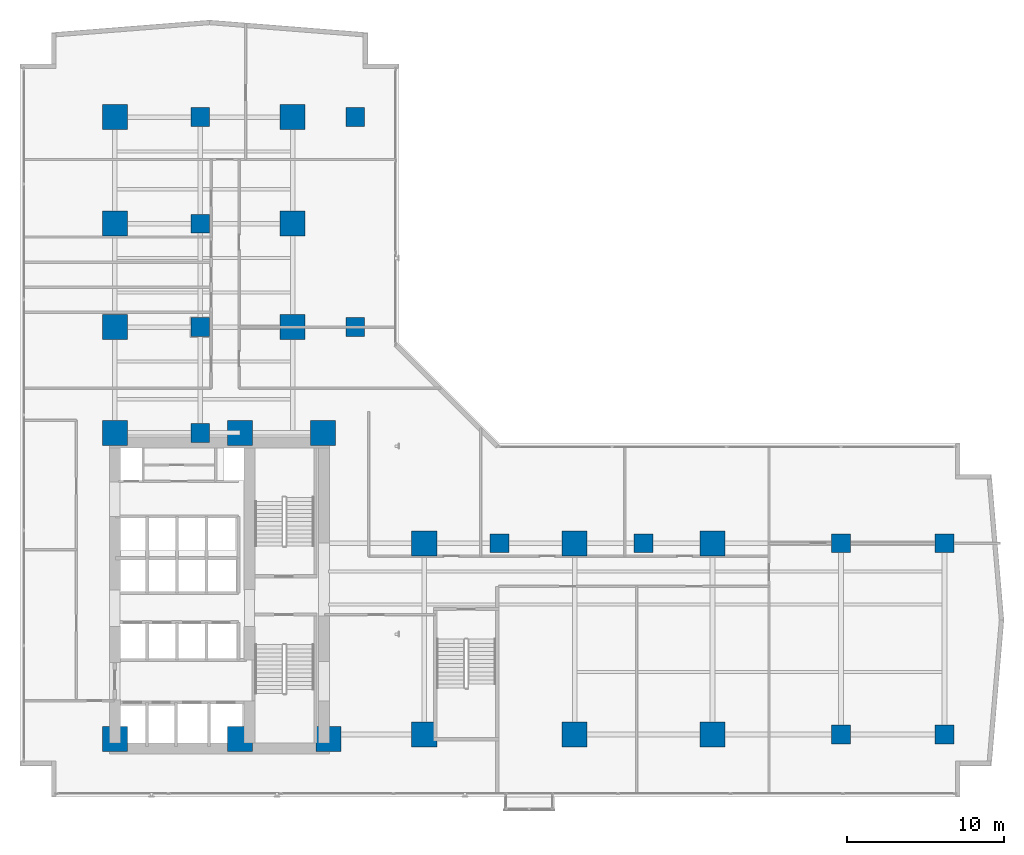
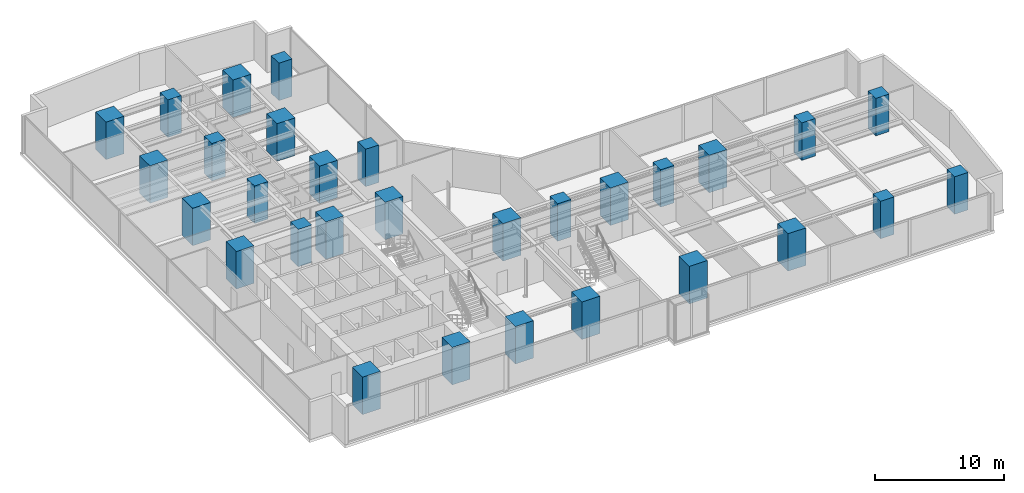
# One storey, part 1 of 30: 30 columns.
"""IFC4 building model written with IfcOpenShell, lengths in metres."""

from ifc_helpers import new_model, si_unit, direction, frame, origin, origin_2d, place, context, subcontext, project, spatial, rectangle, extrude, material, material_profile, profile_set, type_object, element, save


model = new_model("IFC4")

# Units and contexts
model_context = context("Model", 3, precision=1e-05, world=origin(), true_north=direction((0.0, 1.0)))
body_context = subcontext(model_context, "Body", "Model", "MODEL_VIEW")
ifc_project = project(units=[si_unit("LENGTHUNIT", "METRE"), si_unit("AREAUNIT", "SQUARE_METRE"), si_unit("VOLUMEUNIT", "CUBIC_METRE"), si_unit("PLANEANGLEUNIT", "RADIAN"), si_unit("MASSUNIT", "GRAM", prefix="KILO")], contexts=[model_context])

# Site, building, storey
site_placement = place(None, origin())
site = spatial("IfcSite", under=ifc_project, at=site_placement, CompositionType="ELEMENT")
building_placement = place(site_placement, origin())
building = spatial("IfcBuilding", under=site, at=building_placement, Name="Kolvaren Waterfront Exchange", CompositionType="ELEMENT")
storey_placement = place(building_placement, frame((0.0, 0.0, 52.39990234375)))
storey = spatial("IfcBuildingStorey", under=building, at=storey_placement, Name="L13", CompositionType="ELEMENT", Elevation=52.39990234375)

# Columns
ifc_material = material(Name="Concrete C70/85", Category="concrete")
ifc_material_profile_1 = material_profile(ifc_material, rectangle(XDim=1.199951171875, YDim=1.199951171875, at=origin_2d()), Name="RC-COL-1200x1200")
ifc_profile_set_1 = profile_set([ifc_material_profile_1], Name="Concrete C70/85")
column_type_1 = type_object("IfcColumnType", Name="STR-COL-1200-C70", PredefinedType="COLUMN", material=ifc_profile_set_1)
for number, where, z_axis, x_axis, name in (
    (1, (53.800048828125, 5.199951171875, 0.0), (0.0, 0.0, 1.0), (1.0, 0.0, 0.0), "L13 column ZC01"),
    (2, (53.800048828125, 17.39990234375, 0.0), (0.0, 0.0, 1.0), (1.0, 0.0, 0.0), "L13 column ZC02"),
    (3, (60.39990234375, 5.199951171875, 0.0), (0.0, 0.0, 1.0), (1.0, 0.0, 0.0), "L13 column ZC03"),
    (4, (60.39990234375, 17.39990234375, 0.0), (0.0, 0.0, 1.0), (1.0, 0.0, 0.0), "L13 column ZC04"),
    (5, (22.800048828125, 31.199951171875, 0.0), (0.0, 0.0, 1.0), (1.0, 0.0, 0.0), "L13 column ZC05"),
    (6, (22.800048828125, 44.60009765625, 0.0), (0.0, 0.0, 1.0), (1.0, 0.0, 0.0), "L13 column ZC06"),
    (7, (12.89990234375, 24.449951171875, 0.0), (0.0, 0.0, 1.0), (1.0, 0.0, 0.0), "L13 column TC01"),
    (8, (12.89990234375, 31.199951171875, 0.0), (0.0, 0.0, 1.0), (1.0, 0.0, 0.0), "L13 column TC02"),
    (9, (12.89990234375, 37.800048828125, 0.0), (0.0, 0.0, 1.0), (1.0, 0.0, 0.0), "L13 column TC03"),
    (10, (12.89990234375, 44.60009765625, 0.0), (0.0, 0.0, 1.0), (1.0, 0.0, 0.0), "L13 column TC04"),
    (11, (32.0, 17.39990234375, 0.0), (0.0, 0.0, 1.0), (1.0, 0.0, 0.0), "L13 column TC05"),
    (12, (41.199951171875, 17.39990234375, 0.0), (0.0, 0.0, 1.0), (1.0, 0.0, 0.0), "L13 column TC06"),
):
    element("IfcColumn", number, at=place(storey_placement, frame(where, z_axis=z_axis, x_axis=x_axis)), inside=storey, type_object=column_type_1, Name=name, PredefinedType="COLUMN", context=body_context, shape_type="SweptSolid", body=[
        extrude(rectangle(XDim=1.199951171875, YDim=1.199951171875, at=origin_2d()), origin(), (0.0, 0.0, 1.0), 3.5400390625),
    ])
ifc_material_profile_2 = material_profile(ifc_material, rectangle(XDim=1.60009765625, YDim=1.60009765625, at=origin_2d()), Name="RC-COL-1600x1600")
ifc_profile_set_2 = profile_set([ifc_material_profile_2], Name="Concrete C70/85")
column_type_2 = type_object("IfcColumnType", Name="STR-COL-1600-C70", PredefinedType="COLUMN", material=ifc_profile_set_2)
for number, where, z_axis, x_axis, name in (
    (13, (7.449951171875, 4.89990234375, 0.0), (0.0, 0.0, 1.0), (1.0, 0.0, 0.0), "L13 column MC01"),
    (14, (15.449951171875, 4.89990234375, 0.0), (0.0, 0.0, 1.0), (1.0, 0.0, 0.0), "L13 column MC02"),
    (15, (21.10009765625, 4.89990234375, 0.0), (0.0, 0.0, 1.0), (1.0, 0.0, 0.0), "L13 column MC03"),
    (16, (7.449951171875, 24.449951171875, 0.0), (0.0, 0.0, 1.0), (1.0, 0.0, 0.0), "L13 column MC04"),
    (17, (15.449951171875, 24.449951171875, 0.0), (0.0, 0.0, 1.0), (1.0, 0.0, 0.0), "L13 column MC05"),
    (18, (20.75, 24.449951171875, 0.0), (0.0, 0.0, 1.0), (1.0, 0.0, 0.0), "L13 column MC06"),
    (19, (7.449951171875, 31.199951171875, 0.0), (0.0, 0.0, 1.0), (1.0, 0.0, 0.0), "L13 column NC01"),
    (20, (7.449951171875, 37.800048828125, 0.0), (0.0, 0.0, 1.0), (1.0, 0.0, 0.0), "L13 column NC02"),
    (21, (7.449951171875, 44.60009765625, 0.0), (0.0, 0.0, 1.0), (1.0, 0.0, 0.0), "L13 column NC03"),
    (22, (18.800048828125, 31.199951171875, 0.0), (0.0, 0.0, 1.0), (1.0, 0.0, 0.0), "L13 column NC04"),
    (23, (18.800048828125, 37.800048828125, 0.0), (0.0, 0.0, 1.0), (1.0, 0.0, 0.0), "L13 column NC05"),
    (24, (18.800048828125, 44.60009765625, 0.0), (0.0, 0.0, 1.0), (1.0, 0.0, 0.0), "L13 column NC06"),
    (25, (27.199951171875, 5.199951171875, 0.0), (0.0, 0.0, 1.0), (1.0, 0.0, 0.0), "L13 column EC01"),
    (26, (36.800048828125, 5.199951171875, 0.0), (0.0, 0.0, 1.0), (1.0, 0.0, 0.0), "L13 column EC02"),
    (27, (45.60009765625, 5.199951171875, 0.0), (0.0, 0.0, 1.0), (1.0, 0.0, 0.0), "L13 column EC03"),
    (28, (27.199951171875, 17.39990234375, 0.0), (0.0, 0.0, 1.0), (1.0, 0.0, 0.0), "L13 column EC04"),
    (29, (36.800048828125, 17.39990234375, 0.0), (0.0, 0.0, 1.0), (1.0, 0.0, 0.0), "L13 column EC05"),
    (30, (45.60009765625, 17.39990234375, 0.0), (0.0, 0.0, 1.0), (1.0, 0.0, 0.0), "L13 column EC06"),
):
    element("IfcColumn", number, at=place(storey_placement, frame(where, z_axis=z_axis, x_axis=x_axis)), inside=storey, type_object=column_type_2, Name=name, PredefinedType="COLUMN", context=body_context, shape_type="SweptSolid", body=[
        extrude(rectangle(XDim=1.60009765625, YDim=1.60009765625, at=origin_2d()), origin(), (0.0, 0.0, 1.0), 3.5400390625),
    ])

save(model, "model.ifc")
